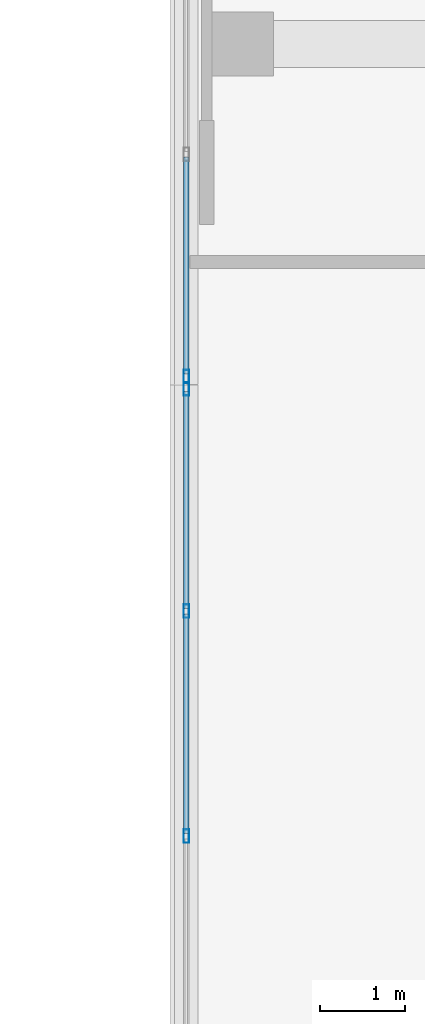
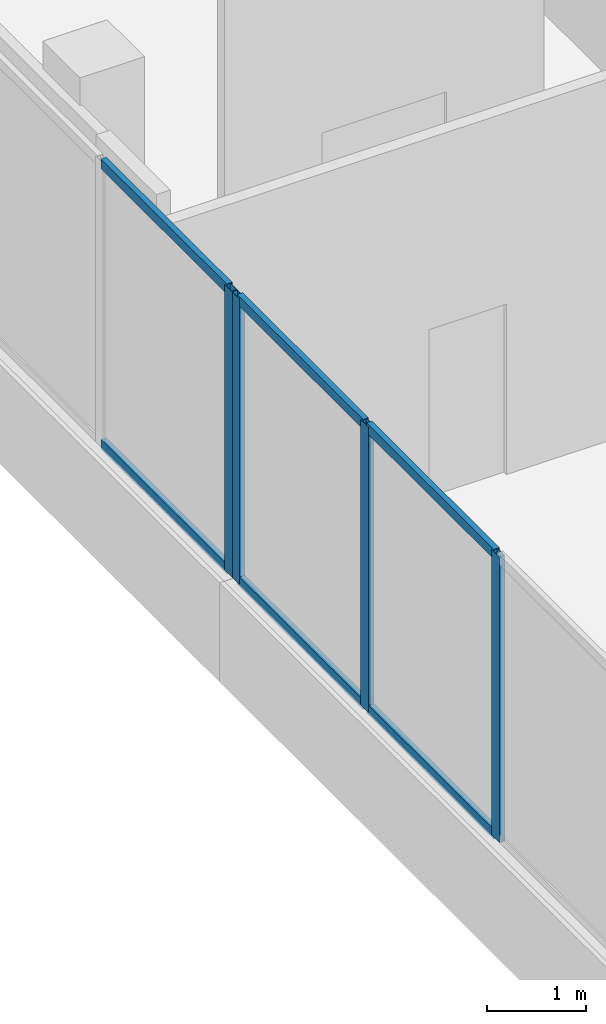
# One storey, part 61 of 155: 10 members, 2 elements without a shape of their own.
"""IFC4 building model written with IfcOpenShell, lengths in metres."""

from ifc_helpers import new_model, si_unit, direction, frame, origin, origin_2d, place, context, subcontext, project, spatial, hollow_rectangle, extrude, material, material_profile, profile_set, type_object, element, aggregate, save


model = new_model("IFC4")

# Units and contexts
model_context = context("Model", 3, precision=1e-05, world=origin(), true_north=direction((0.0, 1.0)))
body_context = subcontext(model_context, "Body", "Model", "MODEL_VIEW")
ifc_project = project(units=[si_unit("LENGTHUNIT", "METRE"), si_unit("AREAUNIT", "SQUARE_METRE"), si_unit("VOLUMEUNIT", "CUBIC_METRE"), si_unit("PLANEANGLEUNIT", "RADIAN"), si_unit("MASSUNIT", "GRAM", prefix="KILO")], contexts=[model_context])

# Site, building, storey
site_placement = place(None, origin())
site = spatial("IfcSite", under=ifc_project, at=site_placement, CompositionType="ELEMENT")
building_placement = place(site_placement, origin())
building = spatial("IfcBuilding", under=site, at=building_placement, Name="Selatvlak General Hospital", CompositionType="ELEMENT")
storey_placement = place(building_placement, frame((0.0, 0.0, 10.199951171875)))
storey = spatial("IfcBuildingStorey", under=building, at=storey_placement, Name="L02", CompositionType="ELEMENT", Elevation=10.199951171875)

# Curtain wall, members
ifc_material_1 = material(Name="Solar-control Low-E double glazing", Category="glass")
curtain_wall_type_1 = type_object("IfcCurtainWallType", Name="CW-CW-01", PredefinedType="USERDEFINED", material=ifc_material_1)
curtain_wall_1_placement = place(storey_placement, origin())
curtain_wall_1 = element("IfcCurtainWall", 1, at=curtain_wall_1_placement, inside=storey, type_object=curtain_wall_type_1, Name="Glazed facade curtain wall CW-L02-0240", ObjectType="UNITISED CURTAIN WALL", PredefinedType="USERDEFINED")
ifc_material_2 = material(Name="Dark anodised aluminium mullion", Category="aluminium")
ifc_material_profile_1 = material_profile(ifc_material_2, hollow_rectangle(XDim=0.06494140625, YDim=0.159912109375, WallThickness=0.00390625, at=origin_2d()), Name="AL-MUL 65x160x4")
ifc_profile_set_1 = profile_set([ifc_material_profile_1], Name="Dark anodised aluminium mullion")
member_type_1 = type_object("IfcMemberType", Name="CWM-01", PredefinedType="MULLION", material=ifc_profile_set_1)
member_1_placement = place(storey_placement, frame((14.39990234375, 98.7041015625, 0.93994140625), z_axis=(0.0, 0.0, 1.0), x_axis=(-1.0, 0.0, 0.0)))
member_1 = element("IfcMember", 2, at=member_1_placement, type_object=member_type_1, Name="CW-01 mullion 2", PredefinedType="MULLION", context=body_context, shape_type="SweptSolid", body=[
    extrude(hollow_rectangle(XDim=0.06494140625, YDim=0.159912109375, WallThickness=0.00390625, at=origin_2d()), origin(), (0.0, 0.0, 1.0), 3.52001953125),
])
member_2_placement = place(storey_placement, frame((14.39990234375, 101.343994140625, 0.93994140625), z_axis=(0.0, 0.0, 1.0), x_axis=(-1.0, 0.0, 0.0)))
member_2 = element("IfcMember", 3, at=member_2_placement, type_object=member_type_1, Name="CW-01 mullion 3", PredefinedType="MULLION", context=body_context, shape_type="SweptSolid", body=[
    extrude(hollow_rectangle(XDim=0.06494140625, YDim=0.159912109375, WallThickness=0.00390625, at=origin_2d()), origin(), (0.0, 0.0, 1.0), 3.52001953125),
])
member_3_placement = place(storey_placement, frame((14.39990234375, 103.951416015625, 0.93994140625), z_axis=(0.0, 0.0, 1.0), x_axis=(-1.0, 0.0, 0.0)))
member_3 = element("IfcMember", 4, at=member_3_placement, type_object=member_type_1, Name="CW-01 mullion 4", PredefinedType="MULLION", context=body_context, shape_type="SweptSolid", body=[
    extrude(hollow_rectangle(XDim=0.06494140625, YDim=0.159912109375, WallThickness=0.00390625, at=origin_2d()), origin(), (0.0, 0.0, 1.0), 3.52001953125),
])

# Curtain wall, member
curtain_wall_type_2 = type_object("IfcCurtainWallType", Name="CW-CW-02", PredefinedType="USERDEFINED", material=ifc_material_1)
curtain_wall_2_placement = place(storey_placement, origin())
curtain_wall_2 = element("IfcCurtainWall", 5, at=curtain_wall_2_placement, inside=storey, type_object=curtain_wall_type_2, Name="Glazed facade curtain wall CW-L02-0241", ObjectType="UNITISED CURTAIN WALL", PredefinedType="USERDEFINED")
member_4_placement = place(storey_placement, frame((14.39990234375, 104.096435546875, 0.93994140625), z_axis=(0.0, 0.0, 1.0), x_axis=(-1.0, 0.0, 0.0)))
member_4 = element("IfcMember", 6, at=member_4_placement, type_object=member_type_1, Name="CW-02 mullion 1", PredefinedType="MULLION", context=body_context, shape_type="SweptSolid", body=[
    extrude(hollow_rectangle(XDim=0.06494140625, YDim=0.159912109375, WallThickness=0.00390625, at=origin_2d()), origin(), (0.0, 0.0, 1.0), 3.52001953125),
])

# Member
ifc_material_profile_2 = material_profile(ifc_material_2, hollow_rectangle(XDim=0.06494140625, YDim=0.1201171875, WallThickness=0.00390625, at=origin_2d()), Name="AL-TRN 65x120x4")
ifc_profile_set_2 = profile_set([ifc_material_profile_2], Name="Dark anodised aluminium mullion")
member_type_2 = type_object("IfcMemberType", Name="CWT-01", PredefinedType="USERDEFINED", material=ifc_profile_set_2)
member_5_placement = place(storey_placement, frame((14.39990234375, 98.736572265625, 0.97265625), z_axis=(0.0, 1.0, 0.0), x_axis=(-1.0, 0.0, 0.0)))
member_5 = element("IfcMember", 7, at=member_5_placement, type_object=member_type_2, Name="CW-01 transom 2.1", ObjectType="TRANSOM", PredefinedType="USERDEFINED", context=body_context, shape_type="SweptSolid", body=[
    extrude(hollow_rectangle(XDim=0.06494140625, YDim=0.1201171875, WallThickness=0.00390625, at=origin_2d()), origin(), (0.0, 0.0, 1.0), 2.574951171875),
])

member_6_placement = place(storey_placement, frame((14.39990234375, 98.736572265625, 4.427490234375), z_axis=(0.0, 1.0, 0.0), x_axis=(-1.0, 0.0, 0.0)))
member_6 = element("IfcMember", 8, at=member_6_placement, type_object=member_type_2, Name="CW-01 transom 2.2", ObjectType="TRANSOM", PredefinedType="USERDEFINED", context=body_context, shape_type="SweptSolid", body=[
    extrude(hollow_rectangle(XDim=0.06494140625, YDim=0.1201171875, WallThickness=0.00390625, at=origin_2d()), origin(), (0.0, 0.0, 1.0), 2.574951171875),
])

member_7_placement = place(storey_placement, frame((14.39990234375, 101.37646484375, 0.97265625), z_axis=(0.0, 1.0, 0.0), x_axis=(-1.0, 0.0, 0.0)))
member_7 = element("IfcMember", 9, at=member_7_placement, type_object=member_type_2, Name="CW-01 transom 3.1", ObjectType="TRANSOM", PredefinedType="USERDEFINED", context=body_context, shape_type="SweptSolid", body=[
    extrude(hollow_rectangle(XDim=0.06494140625, YDim=0.1201171875, WallThickness=0.00390625, at=origin_2d()), origin(), (0.0, 0.0, 1.0), 2.54248046875),
])

member_8_placement = place(storey_placement, frame((14.39990234375, 101.37646484375, 4.427490234375), z_axis=(0.0, 1.0, 0.0), x_axis=(-1.0, 0.0, 0.0)))
member_8 = element("IfcMember", 10, at=member_8_placement, type_object=member_type_2, Name="CW-01 transom 3.2", ObjectType="TRANSOM", PredefinedType="USERDEFINED", context=body_context, shape_type="SweptSolid", body=[
    extrude(hollow_rectangle(XDim=0.06494140625, YDim=0.1201171875, WallThickness=0.00390625, at=origin_2d()), origin(), (0.0, 0.0, 1.0), 2.54248046875),
])

aggregate(curtain_wall_1, [member_1, member_2, member_3, member_5, member_6, member_7, member_8])

member_9_placement = place(storey_placement, frame((14.39990234375, 104.12890625, 0.97265625), z_axis=(0.0, 1.0, 0.0), x_axis=(-1.0, 0.0, 0.0)))
member_9 = element("IfcMember", 11, at=member_9_placement, type_object=member_type_2, Name="CW-02 transom 1.1", ObjectType="TRANSOM", PredefinedType="USERDEFINED", context=body_context, shape_type="SweptSolid", body=[
    extrude(hollow_rectangle(XDim=0.06494140625, YDim=0.1201171875, WallThickness=0.00390625, at=origin_2d()), origin(), (0.0, 0.0, 1.0), 2.54248046875),
])

member_10_placement = place(storey_placement, frame((14.39990234375, 104.12890625, 4.427490234375), z_axis=(0.0, 1.0, 0.0), x_axis=(-1.0, 0.0, 0.0)))
member_10 = element("IfcMember", 12, at=member_10_placement, type_object=member_type_2, Name="CW-02 transom 1.2", ObjectType="TRANSOM", PredefinedType="USERDEFINED", context=body_context, shape_type="SweptSolid", body=[
    extrude(hollow_rectangle(XDim=0.06494140625, YDim=0.1201171875, WallThickness=0.00390625, at=origin_2d()), origin(), (0.0, 0.0, 1.0), 2.54248046875),
])

aggregate(curtain_wall_2, [member_4, member_9, member_10])

save(model, "model.ifc")
